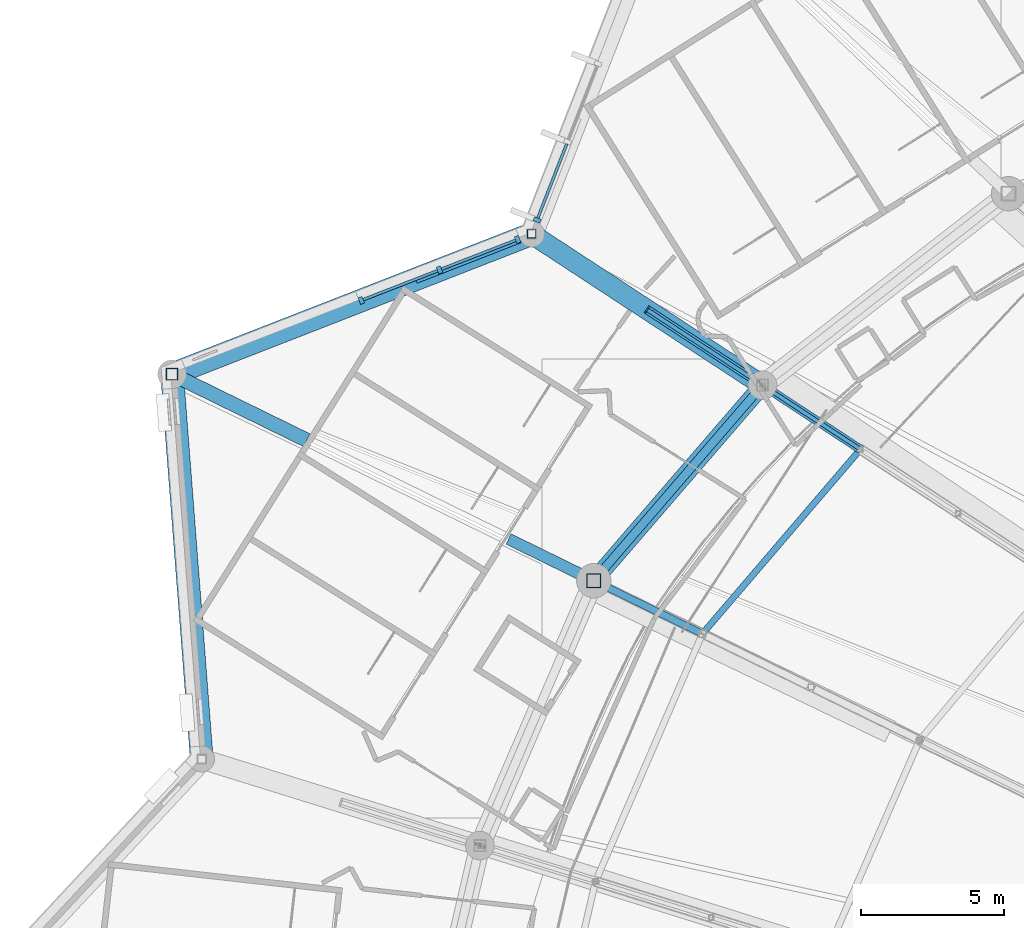
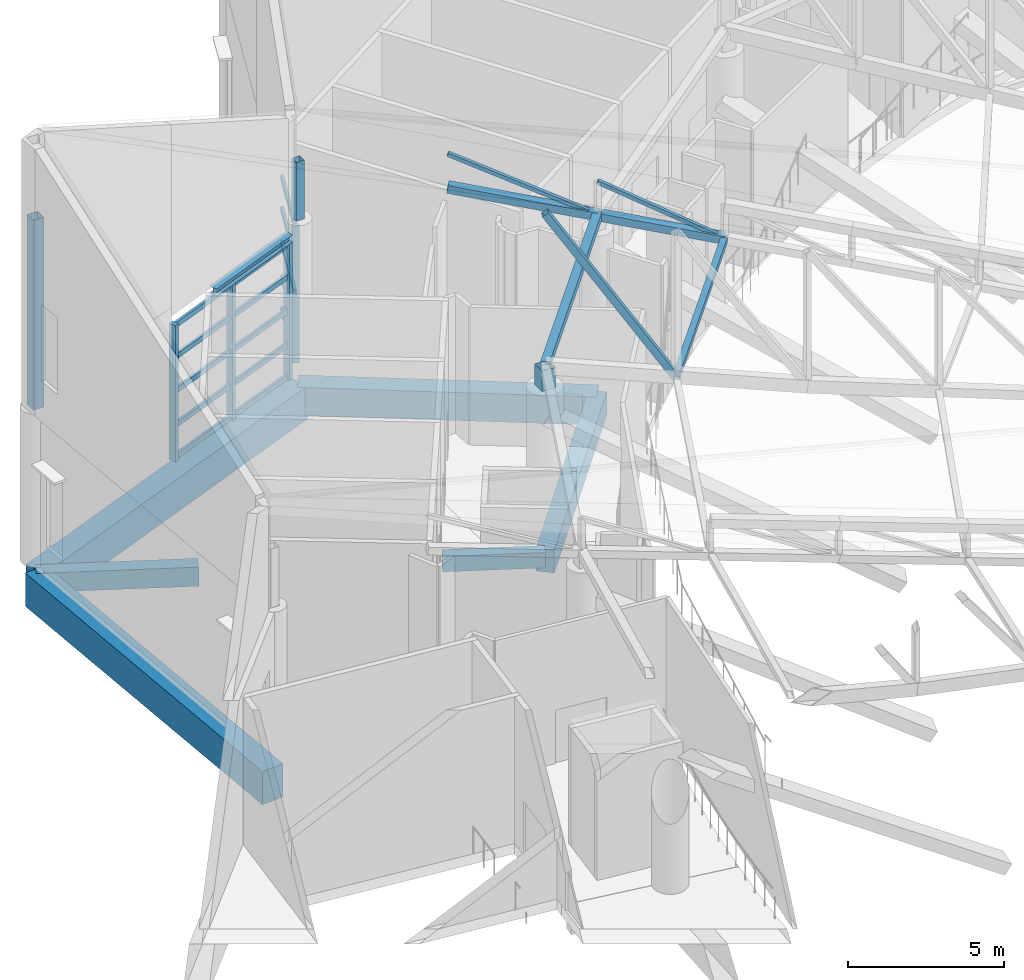
# One storey, part 130 of 344: 29 members, 7 beams, 2 elements without a shape of their own.
"""IFC4 building model written with IfcOpenShell, lengths in metres."""

import ifcopenshell
import ifcopenshell.guid

model = None  # the IFC model being written
_history = None  # IfcOwnerHistory: only IFC2X3 demands one
_inside = {}  # id of a spatial element -> (the spatial element, [elements in it])
_under = {}  # id of a project, library or spatial element -> (it, [spatial elements below it])
_declared = {}  # id of a project -> (the project, [libraries it declares])
_typed = {}  # id of a type object -> (the type object, [elements of that type])
_made_of = {}  # id of a material, layer set ... -> (it, [elements and type objects made of it])


def new_model(schema):
    """Start an empty IFC model of exactly this schema.

    Asked for "IFC4X3", IfcOpenShell would pick the latest addendum, in which some entities
    have other attributes; the version numbers below select the first issue.
    IFC2X3 requires an IfcOwnerHistory on every rooted entity: one is made here for all.
    """
    global model, _history
    if schema == "IFC4X3":
        model = ifcopenshell.file(schema_version=(4, 3, 0, 0))
    else:
        model = ifcopenshell.file(schema=schema)
    _inside.clear()
    _under.clear()
    _declared.clear()
    _typed.clear()
    _made_of.clear()
    _history = None
    if model.schema == "IFC2X3":
        org = make("IfcOrganization", Name="unknown")
        user = make(
            "IfcPersonAndOrganization",
            ThePerson=make("IfcPerson", FamilyName="unknown"),
            TheOrganization=org,
        )
        app = make(
            "IfcApplication",
            ApplicationDeveloper=org,
            Version="unknown",
            ApplicationFullName="unknown",
            ApplicationIdentifier="unknown",
        )
        _history = make(
            "IfcOwnerHistory",
            OwningUser=user,
            OwningApplication=app,
            ChangeAction="ADDED",
            CreationDate=0,
        )
    return model


def make(cls, **values):
    """One entity of the class cls with the attributes given. An attribute that is None is left unset."""
    return model.create_entity(
        cls, **{name: value for name, value in values.items() if value is not None}
    )


def rooted(cls, **values):
    """An entity with a GlobalId (a new one), such as an element, a storey or a relation."""
    return make(cls, GlobalId=ifcopenshell.guid.new(), OwnerHistory=_history, **values)


def si_unit(unit_type, name, prefix=None):
    """IfcSIUnit, for example si_unit("LENGTHUNIT", "METRE", prefix="MILLI")."""
    return make("IfcSIUnit", UnitType=unit_type, Prefix=prefix, Name=name)


def assignment(units):
    """IfcUnitAssignment: the units of a project."""
    return None if units is None else make("IfcUnitAssignment", Units=units)


def point(xyz):
    """IfcCartesianPoint."""
    return None if xyz is None else make("IfcCartesianPoint", Coordinates=xyz)


def direction(xyz):
    """IfcDirection."""
    return None if xyz is None else make("IfcDirection", DirectionRatios=xyz)


def frame(location, z_axis=None, x_axis=None):
    """IfcAxis2Placement3D, a coordinate frame: its origin and axes. An axis left out is left unset."""
    return make(
        "IfcAxis2Placement3D",
        Location=point(location),
        Axis=direction(z_axis),
        RefDirection=direction(x_axis),
    )


def frame_2d(location, x_axis=None):
    """IfcAxis2Placement2D, a coordinate frame in the plane: its origin and x axis."""
    return make(
        "IfcAxis2Placement2D", Location=point(location), RefDirection=direction(x_axis)
    )


def origin():
    """The frame at (0, 0, 0) with its axes left unset."""
    return frame((0.0, 0.0, 0.0))


def origin_2d():
    """The frame at (0, 0) in the plane with its x axis left unset."""
    return frame_2d((0.0, 0.0))


def place(relative_to, where):
    """IfcLocalPlacement: puts the frame where relative to a parent placement (None: the world)."""
    return make(
        "IfcLocalPlacement", PlacementRelTo=relative_to, RelativePlacement=where
    )


def context(
    kind, dimensions, precision=None, world=None, true_north=None, identifier=None
):
    """IfcGeometricRepresentationContext, for example the 3D "Model" context."""
    return make(
        "IfcGeometricRepresentationContext",
        ContextIdentifier=identifier,
        ContextType=kind,
        CoordinateSpaceDimension=dimensions,
        Precision=precision,
        WorldCoordinateSystem=world,
        TrueNorth=true_north,
    )


def subcontext(parent, identifier, kind, view, scale=None):
    """IfcGeometricRepresentationSubContext, for example "Body" below "Model"."""
    return make(
        "IfcGeometricRepresentationSubContext",
        ContextIdentifier=identifier,
        ContextType=kind,
        ParentContext=parent,
        TargetScale=scale,
        TargetView=view,
    )


def project(units=None, contexts=None):
    """IfcProject with its units and contexts."""
    return rooted(
        "IfcProject",
        Name="project",
        RepresentationContexts=contexts,
        UnitsInContext=assignment(units),
    )


def spatial(cls, under=None, at=None, **own):
    """A site, building, storey or space (cls), placed at a placement, below another one or the project."""
    s = rooted(cls, ObjectPlacement=at, **own)
    if under is not None:
        _under.setdefault(under.id(), (under, []))[1].append(s)
    return s


def profile(cls, at=None, kind="AREA", **sizes):
    """A parametric profile (cls). Its sizes go by their IFC names, for example OverallWidth=200.0."""
    return make(cls, ProfileType=kind, Position=at, **sizes)


def rectangle(**sizes):
    """IfcRectangleProfileDef."""
    return profile("IfcRectangleProfileDef", **sizes)


def hollow_rectangle(**sizes):
    """IfcRectangleHollowProfileDef."""
    return profile("IfcRectangleHollowProfileDef", **sizes)


def i_section(**sizes):
    """IfcIShapeProfileDef."""
    return profile("IfcIShapeProfileDef", **sizes)


def extrude(swept, where, along, depth):
    """IfcExtrudedAreaSolid: the profile swept, set in the frame where, extruded along a direction by depth."""
    return make(
        "IfcExtrudedAreaSolid",
        SweptArea=swept,
        Position=where,
        ExtrudedDirection=direction(along),
        Depth=depth,
    )


def shape(context_of_items, identifier, shape_type, items):
    """IfcShapeRepresentation: the items that make up one representation, for example the "Body"."""
    return make(
        "IfcShapeRepresentation",
        ContextOfItems=context_of_items,
        RepresentationIdentifier=identifier,
        RepresentationType=shape_type,
        Items=items,
    )


def material(Name=None, Category=None):
    """IfcMaterial."""
    return make("IfcMaterial", Name=Name, Category=Category)


def layer(
    of_material, thickness, ventilated=None, Name=None, Category=None, Priority=None
):
    """IfcMaterialLayer: one layer of a wall or slab, of a material (None: an air gap)."""
    return make(
        "IfcMaterialLayer",
        Material=of_material,
        LayerThickness=thickness,
        IsVentilated=ventilated,
        Name=Name,
        Category=Category,
        Priority=Priority,
    )


def layer_set(layers, Name=None):
    """IfcMaterialLayerSet."""
    return make("IfcMaterialLayerSet", MaterialLayers=layers, LayerSetName=Name)


def material_profile(
    of_material, cross_section, Name=None, Category=None, Priority=None
):
    """IfcMaterialProfile: a cross section and its material."""
    return make(
        "IfcMaterialProfile",
        Name=Name,
        Material=of_material,
        Profile=cross_section,
        Priority=Priority,
        Category=Category,
    )


def profile_set(profiles, Name=None, composite=None):
    """IfcMaterialProfileSet."""
    return make(
        "IfcMaterialProfileSet",
        Name=Name,
        MaterialProfiles=profiles,
        CompositeProfile=composite,
    )


def made_of(thing, what):
    """Note that an element or type object is made of a material, layer set ...; save() writes the relation."""
    if what is not None:
        _made_of.setdefault(what.id(), (what, []))[1].append(thing)
    return thing


def type_object(cls, material=None, **own):
    """A type object (cls), such as IfcWallType, which elements share."""
    return made_of(rooted(cls, **own), material)


def element(
    cls,
    number,
    at=None,
    inside=None,
    cuts=None,
    type_object=None,
    material=None,
    context=None,
    identifier="Body",
    shape_type=None,
    held_by="IfcProductDefinitionShape",
    body=None,
    shapes=None,
    **own,
):
    """One element of the class cls, such as IfcWall. Its Tag is "e" and its number.

    at: its placement. inside: the storey or other place that contains it. cuts: it is an
    opening in that element (IfcRelVoidsElement). A single representation is given by context,
    identifier, shape_type and body (its items); several are given by shapes. held_by: the class
    of the entity that holds the representations. save() writes the other relations.
    """
    e = rooted(cls, Tag="e%d" % number, ObjectPlacement=at, **own)
    if body is not None:
        shapes = [shape(context, identifier, shape_type, body)]
    if shapes is not None:
        e.Representation = make(held_by, Representations=shapes)
    if inside is not None:
        _inside.setdefault(inside.id(), (inside, []))[1].append(e)
    if cuts is not None:
        rooted(
            "IfcRelVoidsElement", RelatingBuildingElement=cuts, RelatedOpeningElement=e
        )
    if type_object is not None:
        _typed.setdefault(type_object.id(), (type_object, []))[1].append(e)
    return made_of(e, material)


def aggregate(whole, parts):
    """IfcRelAggregates: a whole, such as a stair, and the parts it consists of."""
    return rooted("IfcRelAggregates", RelatingObject=whole, RelatedObjects=parts)


def save(model, path):
    """Write the relations noted so far, then the file.

    IfcRelAggregates (storeys below a building ...), IfcRelContainedInSpatialStructure (elements
    in a storey), IfcRelDefinesByType, IfcRelAssociatesMaterial and IfcRelDeclares: one each for
    every whole, place, type object, material and project.
    """
    for whole, parts in _under.values():
        aggregate(whole, parts)
    for where, things in _inside.values():
        rooted(
            "IfcRelContainedInSpatialStructure",
            RelatedElements=things,
            RelatingStructure=where,
        )
    for kind, things in _typed.values():
        rooted("IfcRelDefinesByType", RelatedObjects=things, RelatingType=kind)
    for what, things in _made_of.values():
        rooted("IfcRelAssociatesMaterial", RelatedObjects=things, RelatingMaterial=what)
    for by, libraries in _declared.values():
        rooted("IfcRelDeclares", RelatingContext=by, RelatedDefinitions=libraries)
    model.write(path)


model = new_model("IFC4")

# Units and contexts
model_context = context("Model", 3, precision=1e-05, world=origin(), true_north=direction((0.0, 1.0)))
body_context = subcontext(model_context, "Body", "Model", "MODEL_VIEW")
ifc_project = project(units=[si_unit("LENGTHUNIT", "METRE"), si_unit("AREAUNIT", "SQUARE_METRE"), si_unit("VOLUMEUNIT", "CUBIC_METRE"), si_unit("PLANEANGLEUNIT", "RADIAN"), si_unit("MASSUNIT", "GRAM", prefix="KILO")], contexts=[model_context])

# Site, building, storey
site_placement = place(None, origin())
site = spatial("IfcSite", under=ifc_project, at=site_placement, CompositionType="ELEMENT")
building_placement = place(site_placement, origin())
building = spatial("IfcBuilding", under=site, at=building_placement, Name="Meseta Stadium", CompositionType="ELEMENT")
storey_placement = place(building_placement, frame((0.0, 0.0, 24.0)))
storey = spatial("IfcBuildingStorey", under=building, at=storey_placement, Name="L04", CompositionType="ELEMENT", Elevation=24.0)

# Beam
ifc_material_1 = material(Name="Steel S355", Category="steel")
ifc_material_profile_1 = material_profile(ifc_material_1, i_section(OverallWidth=0.300048828125, OverallDepth=0.300048828125, WebThickness=0.010986328125, FlangeThickness=0.01904296875, FilletRadius=0.027099609375, at=origin_2d()), Name="HEB 300")
ifc_profile_set_1 = profile_set([ifc_material_profile_1], Name="Steel S355")
beam_type_1 = type_object("IfcBeamType", Name="Atrium lintel beam HEB 300", PredefinedType="BEAM", material=ifc_profile_set_1)
beam_1_placement = place(storey_placement, frame((-80.784423828125, 84.2021484375, 5.5), z_axis=(-0.931662395399, -0.363325172539, 0.0), x_axis=(0.363325172539, -0.931662395399, 0.0)))
element("IfcBeam", 1, at=beam_1_placement, inside=storey, type_object=beam_type_1, Name="Atrium lintel beam F25", PredefinedType="BEAM", context=body_context, shape_type="SweptSolid", body=[
    extrude(i_section(OverallWidth=0.300048828125, OverallDepth=0.300048828125, WebThickness=0.010986328125, FlangeThickness=0.01904296875, FilletRadius=0.027099609375, at=origin_2d()), origin(), (0.0, 0.0, 1.0), 3.900146484375),
])

# Curtain wall, member
ifc_material_2 = material(Name="Steel S355", Category="steel")
ifc_layer = layer(ifc_material_2, 0.300048828125)
ifc_layer_set = layer_set([ifc_layer], Name="Valley atrium curtain wall")
curtain_wall_type = type_object("IfcCurtainWallType", Name="Valley atrium curtain wall", PredefinedType="NOTDEFINED", material=ifc_layer_set)
curtain_wall_1_placement = place(storey_placement, origin())
curtain_wall_1 = element("IfcCurtainWall", 2, at=curtain_wall_1_placement, inside=storey, type_object=curtain_wall_type, Name="Valley atrium glazing F24", PredefinedType="NOTDEFINED")
ifc_material_3 = material(Name="Steel S355", Category="steel")
ifc_material_profile_2 = material_profile(ifc_material_3, rectangle(XDim=0.25, YDim=0.14990234375, at=origin_2d()), Name="CW 250x150")
ifc_profile_set_2 = profile_set([ifc_material_profile_2], Name="Steel S355")
member_type_1 = type_object("IfcMemberType", Name="CW mullion bar 250x150", PredefinedType="MULLION", material=ifc_profile_set_2)
member_1_placement = place(storey_placement, frame((-80.1748046875, 84.854248046875, 0.0), z_axis=(0.0, 0.0, 1.0), x_axis=(0.931679912901, -0.363280249803, 0.0)))
member_1 = element("IfcMember", 3, at=member_1_placement, type_object=member_type_1, Name="CWA mullion 3", PredefinedType="MULLION", context=body_context, shape_type="SweptSolid", body=[
    extrude(rectangle(XDim=0.25, YDim=0.14990234375, at=origin_2d()), origin(), (0.0, 0.0, 1.0), 5.35009765625),
])

# Curtain wall, members
curtain_wall_2_placement = place(storey_placement, origin())
curtain_wall_2 = element("IfcCurtainWall", 4, at=curtain_wall_2_placement, inside=storey, type_object=curtain_wall_type, Name="Valley atrium glazing F25", PredefinedType="NOTDEFINED")
member_2_placement = place(storey_placement, frame((-80.854248046875, 84.1748046875, 0.0), z_axis=(0.0, 0.0, 1.0), x_axis=(0.363280249803, -0.931679912901, 0.0)))
member_2 = element("IfcMember", 5, at=member_2_placement, type_object=member_type_1, Name="CWA mullion 1", PredefinedType="MULLION", context=body_context, shape_type="SweptSolid", body=[
    extrude(rectangle(XDim=0.25, YDim=0.14990234375, at=origin_2d()), origin(), (0.0, 0.0, 1.0), 5.35009765625),
])
member_3_placement = place(storey_placement, frame((-83.579345703125, 83.1123046875, 0.0), z_axis=(0.0, 0.0, 1.0), x_axis=(0.363280249803, -0.931679912901, 0.0)))
member_3 = element("IfcMember", 6, at=member_3_placement, type_object=member_type_1, Name="CWA mullion 2", PredefinedType="MULLION", context=body_context, shape_type="SweptSolid", body=[
    extrude(rectangle(XDim=0.25, YDim=0.14990234375, at=origin_2d()), origin(), (0.0, 0.0, 1.0), 5.35009765625),
])
member_4_placement = place(storey_placement, frame((-86.304443359375, 82.049560546875, 0.0), z_axis=(0.0, 0.0, 1.0), x_axis=(0.363280249803, -0.931679912901, 0.0)))
member_4 = element("IfcMember", 7, at=member_4_placement, type_object=member_type_1, Name="CWA mullion 3", PredefinedType="MULLION", context=body_context, shape_type="SweptSolid", body=[
    extrude(rectangle(XDim=0.25, YDim=0.14990234375, at=origin_2d()), origin(), (0.0, 0.0, 1.0), 5.35009765625),
])

# Member
ifc_material_4 = material(Name="Steel S355", Category="steel")
ifc_material_profile_3 = material_profile(ifc_material_4, hollow_rectangle(XDim=0.10009765625, YDim=0.199951171875, WallThickness=0.008056640625, at=origin_2d()), Name="RHS 200x100x8")
ifc_profile_set_3 = profile_set([ifc_material_profile_3], Name="Steel S355")
member_type_2 = type_object("IfcMemberType", Name="CW transom RHS 200x100x8", PredefinedType="USERDEFINED", material=ifc_profile_set_3)
member_5_placement = place(storey_placement, frame((-79.139404296875, 87.509521484375, 0.10009765625), z_axis=(-0.363261275509, -0.931687311127, 0.0), x_axis=(0.931687311127, -0.363261275509, 0.0)))
member_5 = element("IfcMember", 8, at=member_5_placement, type_object=member_type_2, Name="CWA transom 2.1", ObjectType="TRANSOM", PredefinedType="USERDEFINED", context=body_context, shape_type="SweptSolid", body=[
    extrude(hollow_rectangle(XDim=0.10009765625, YDim=0.199951171875, WallThickness=0.008056640625, at=origin_2d()), origin(), (0.0, 0.0, 1.0), 2.77490234375),
])

member_6_placement = place(storey_placement, frame((-79.139404296875, 87.509521484375, 1.33740234375), z_axis=(-0.363261275509, -0.931687311127, 0.0), x_axis=(0.931687311127, -0.363261275509, 0.0)))
member_6 = element("IfcMember", 9, at=member_6_placement, type_object=member_type_2, Name="CWA transom 2.2", ObjectType="TRANSOM", PredefinedType="USERDEFINED", context=body_context, shape_type="SweptSolid", body=[
    extrude(hollow_rectangle(XDim=0.10009765625, YDim=0.199951171875, WallThickness=0.008056640625, at=origin_2d()), origin(), (0.0, 0.0, 1.0), 2.77490234375),
])

member_7_placement = place(storey_placement, frame((-79.139404296875, 87.509521484375, 2.675048828125), z_axis=(-0.363261275509, -0.931687311127, 0.0), x_axis=(0.931687311127, -0.363261275509, 0.0)))
member_7 = element("IfcMember", 10, at=member_7_placement, type_object=member_type_2, Name="CWA transom 2.3", ObjectType="TRANSOM", PredefinedType="USERDEFINED", context=body_context, shape_type="SweptSolid", body=[
    extrude(hollow_rectangle(XDim=0.10009765625, YDim=0.199951171875, WallThickness=0.008056640625, at=origin_2d()), origin(), (0.0, 0.0, 1.0), 2.77490234375),
])

member_8_placement = place(storey_placement, frame((-79.139404296875, 87.509521484375, 4.012451171875), z_axis=(-0.363261275509, -0.931687311127, 0.0), x_axis=(0.931687311127, -0.363261275509, 0.0)))
member_8 = element("IfcMember", 11, at=member_8_placement, type_object=member_type_2, Name="CWA transom 2.4", ObjectType="TRANSOM", PredefinedType="USERDEFINED", context=body_context, shape_type="SweptSolid", body=[
    extrude(hollow_rectangle(XDim=0.10009765625, YDim=0.199951171875, WallThickness=0.008056640625, at=origin_2d()), origin(), (0.0, 0.0, 1.0), 2.77490234375),
])

member_9_placement = place(storey_placement, frame((-79.139404296875, 87.509521484375, 5.25), z_axis=(-0.363261275509, -0.931687311127, 0.0), x_axis=(0.931687311127, -0.363261275509, 0.0)))
member_9 = element("IfcMember", 12, at=member_9_placement, type_object=member_type_2, Name="CWA transom 2.5", ObjectType="TRANSOM", PredefinedType="USERDEFINED", context=body_context, shape_type="SweptSolid", body=[
    extrude(hollow_rectangle(XDim=0.10009765625, YDim=0.199951171875, WallThickness=0.008056640625, at=origin_2d()), origin(), (0.0, 0.0, 1.0), 2.77490234375),
])

aggregate(curtain_wall_1, [member_1, member_5, member_6, member_7, member_8, member_9])

member_10_placement = place(storey_placement, frame((-80.924072265625, 84.1474609375, 0.10009765625), z_axis=(-0.931687311127, -0.363261275509, 0.0), x_axis=(0.363261275509, -0.931687311127, 0.0)))
member_10 = element("IfcMember", 13, at=member_10_placement, type_object=member_type_2, Name="CWA transom 1.1", ObjectType="TRANSOM", PredefinedType="USERDEFINED", context=body_context, shape_type="SweptSolid", body=[
    extrude(hollow_rectangle(XDim=0.10009765625, YDim=0.199951171875, WallThickness=0.008056640625, at=origin_2d()), origin(), (0.0, 0.0, 1.0), 2.77490234375),
])

member_11_placement = place(storey_placement, frame((-80.924072265625, 84.1474609375, 1.33740234375), z_axis=(-0.931687311127, -0.363261275509, 0.0), x_axis=(0.363261275509, -0.931687311127, 0.0)))
member_11 = element("IfcMember", 14, at=member_11_placement, type_object=member_type_2, Name="CWA transom 1.2", ObjectType="TRANSOM", PredefinedType="USERDEFINED", context=body_context, shape_type="SweptSolid", body=[
    extrude(hollow_rectangle(XDim=0.10009765625, YDim=0.199951171875, WallThickness=0.008056640625, at=origin_2d()), origin(), (0.0, 0.0, 1.0), 2.77490234375),
])

member_12_placement = place(storey_placement, frame((-80.924072265625, 84.1474609375, 2.675048828125), z_axis=(-0.931687311127, -0.363261275509, 0.0), x_axis=(0.363261275509, -0.931687311127, 0.0)))
member_12 = element("IfcMember", 15, at=member_12_placement, type_object=member_type_2, Name="CWA transom 1.3", ObjectType="TRANSOM", PredefinedType="USERDEFINED", context=body_context, shape_type="SweptSolid", body=[
    extrude(hollow_rectangle(XDim=0.10009765625, YDim=0.199951171875, WallThickness=0.008056640625, at=origin_2d()), origin(), (0.0, 0.0, 1.0), 2.77490234375),
])

member_13_placement = place(storey_placement, frame((-80.924072265625, 84.1474609375, 4.012451171875), z_axis=(-0.931687311127, -0.363261275509, 0.0), x_axis=(0.363261275509, -0.931687311127, 0.0)))
member_13 = element("IfcMember", 16, at=member_13_placement, type_object=member_type_2, Name="CWA transom 1.4", ObjectType="TRANSOM", PredefinedType="USERDEFINED", context=body_context, shape_type="SweptSolid", body=[
    extrude(hollow_rectangle(XDim=0.10009765625, YDim=0.199951171875, WallThickness=0.008056640625, at=origin_2d()), origin(), (0.0, 0.0, 1.0), 2.77490234375),
])

member_14_placement = place(storey_placement, frame((-80.924072265625, 84.1474609375, 5.25), z_axis=(-0.931687311127, -0.363261275509, 0.0), x_axis=(0.363261275509, -0.931687311127, 0.0)))
member_14 = element("IfcMember", 17, at=member_14_placement, type_object=member_type_2, Name="CWA transom 1.5", ObjectType="TRANSOM", PredefinedType="USERDEFINED", context=body_context, shape_type="SweptSolid", body=[
    extrude(hollow_rectangle(XDim=0.10009765625, YDim=0.199951171875, WallThickness=0.008056640625, at=origin_2d()), origin(), (0.0, 0.0, 1.0), 2.77490234375),
])

member_15_placement = place(storey_placement, frame((-83.649169921875, 83.0849609375, 0.10009765625), z_axis=(-0.931687311127, -0.363261275509, 0.0), x_axis=(0.363261275509, -0.931687311127, 0.0)))
member_15 = element("IfcMember", 18, at=member_15_placement, type_object=member_type_2, Name="CWA transom 2.1", ObjectType="TRANSOM", PredefinedType="USERDEFINED", context=body_context, shape_type="SweptSolid", body=[
    extrude(hollow_rectangle(XDim=0.10009765625, YDim=0.199951171875, WallThickness=0.008056640625, at=origin_2d()), origin(), (0.0, 0.0, 1.0), 2.77490234375),
])

member_16_placement = place(storey_placement, frame((-83.649169921875, 83.0849609375, 1.33740234375), z_axis=(-0.931687311127, -0.363261275509, 0.0), x_axis=(0.363261275509, -0.931687311127, 0.0)))
member_16 = element("IfcMember", 19, at=member_16_placement, type_object=member_type_2, Name="CWA transom 2.2", ObjectType="TRANSOM", PredefinedType="USERDEFINED", context=body_context, shape_type="SweptSolid", body=[
    extrude(hollow_rectangle(XDim=0.10009765625, YDim=0.199951171875, WallThickness=0.008056640625, at=origin_2d()), origin(), (0.0, 0.0, 1.0), 2.77490234375),
])

member_17_placement = place(storey_placement, frame((-83.649169921875, 83.0849609375, 2.675048828125), z_axis=(-0.931687311127, -0.363261275509, 0.0), x_axis=(0.363261275509, -0.931687311127, 0.0)))
member_17 = element("IfcMember", 20, at=member_17_placement, type_object=member_type_2, Name="CWA transom 2.3", ObjectType="TRANSOM", PredefinedType="USERDEFINED", context=body_context, shape_type="SweptSolid", body=[
    extrude(hollow_rectangle(XDim=0.10009765625, YDim=0.199951171875, WallThickness=0.008056640625, at=origin_2d()), origin(), (0.0, 0.0, 1.0), 2.77490234375),
])

member_18_placement = place(storey_placement, frame((-83.649169921875, 83.0849609375, 4.012451171875), z_axis=(-0.931687311127, -0.363261275509, 0.0), x_axis=(0.363261275509, -0.931687311127, 0.0)))
member_18 = element("IfcMember", 21, at=member_18_placement, type_object=member_type_2, Name="CWA transom 2.4", ObjectType="TRANSOM", PredefinedType="USERDEFINED", context=body_context, shape_type="SweptSolid", body=[
    extrude(hollow_rectangle(XDim=0.10009765625, YDim=0.199951171875, WallThickness=0.008056640625, at=origin_2d()), origin(), (0.0, 0.0, 1.0), 2.77490234375),
])

member_19_placement = place(storey_placement, frame((-83.649169921875, 83.0849609375, 5.25), z_axis=(-0.931687311127, -0.363261275509, 0.0), x_axis=(0.363261275509, -0.931687311127, 0.0)))
member_19 = element("IfcMember", 22, at=member_19_placement, type_object=member_type_2, Name="CWA transom 2.5", ObjectType="TRANSOM", PredefinedType="USERDEFINED", context=body_context, shape_type="SweptSolid", body=[
    extrude(hollow_rectangle(XDim=0.10009765625, YDim=0.199951171875, WallThickness=0.008056640625, at=origin_2d()), origin(), (0.0, 0.0, 1.0), 2.77490234375),
])

aggregate(curtain_wall_2, [member_2, member_3, member_4, member_10, member_11, member_12, member_13, member_14, member_15, member_16, member_17, member_18, member_19])

# Beams
ifc_material_5 = material(Name="Concrete C40/50", Category="concrete")
ifc_material_profile_4 = material_profile(ifc_material_5, rectangle(XDim=0.39990234375, YDim=0.60009765625, at=origin_2d()), Name="RC 400x600")
ifc_profile_set_4 = profile_set([ifc_material_profile_4], Name="Concrete C40/50")
beam_type_2 = type_object("IfcBeamType", Name="RC beam 400x600", PredefinedType="BEAM", material=ifc_profile_set_4)
beam_2_placement = place(storey_placement, frame((-78.197998046875, 72.27197265625, -0.699951171875), z_axis=(-0.898132346212, 0.439725242267, 0.0), x_axis=(-0.439725242267, -0.898132346212, 0.0)))
element("IfcBeam", 23, at=beam_2_placement, inside=storey, type_object=beam_type_2, Name="L04 radial beam frame 26 line P to R", PredefinedType="BEAM", context=body_context, shape_type="SweptSolid", body=[
    extrude(rectangle(XDim=0.39990234375, YDim=0.60009765625, at=origin_2d()), origin(), (0.0, 0.0, 1.0), 3.306396484375),
])
ifc_material_6 = material(Name="Concrete C40/50", Category="concrete")
ifc_material_profile_5 = material_profile(ifc_material_6, rectangle(XDim=0.5, YDim=0.75, at=origin_2d()), Name="RC 500x750")
ifc_profile_set_5 = profile_set([ifc_material_profile_5], Name="Concrete C40/50")
beam_type_3 = type_object("IfcBeamType", Name="RC beam 500x750", PredefinedType="BEAM", material=ifc_profile_set_5)
beam_3_placement = place(storey_placement, frame((-88.212158203125, 77.175048828125, -0.77490234375), z_axis=(-0.898112763243, 0.439765237939, 0.0), x_axis=(-0.439765237939, -0.898112763243, 0.0)))
element("IfcBeam", 24, at=beam_3_placement, inside=storey, type_object=beam_type_3, Name="L04 radial beam frame 26 line P to R", PredefinedType="BEAM", context=body_context, shape_type="SweptSolid", body=[
    extrude(rectangle(XDim=0.5, YDim=0.75, at=origin_2d()), origin(), (0.0, 0.0, 1.0), 5.22900390625),
])
ifc_material_7 = material(Name="Concrete C40/50", Category="concrete")
ifc_material_profile_6 = material_profile(ifc_material_7, rectangle(XDim=0.60009765625, YDim=0.89990234375, at=origin_2d()), Name="RC 600x900")
ifc_profile_set_6 = profile_set([ifc_material_profile_6], Name="Concrete C40/50")
beam_type_4 = type_object("IfcBeamType", Name="RC beam 600x900", PredefinedType="BEAM", material=ifc_profile_set_6)
beam_4_placement = place(storey_placement, frame((-72.31201171875, 79.091064453125, -0.85009765625), z_axis=(-0.653414508663, -0.757000316954, 0.0), x_axis=(0.757000316954, -0.653414508663, 0.0)))
element("IfcBeam", 25, at=beam_4_placement, inside=storey, type_object=beam_type_4, Name="L04 ring beam frame 25 line P", PredefinedType="BEAM", context=body_context, shape_type="SweptSolid", body=[
    extrude(rectangle(XDim=0.60009765625, YDim=0.89990234375, at=origin_2d()), origin(), (0.0, 0.0, 1.0), 9.008056640625),
])
ifc_material_8 = material(Name="Concrete C40/50", Category="concrete")
ifc_material_profile_7 = material_profile(ifc_material_8, rectangle(XDim=0.699951171875, YDim=1.10009765625, at=origin_2d()), Name="RC 700x1100")
ifc_profile_set_7 = profile_set([ifc_material_profile_7], Name="Concrete C40/50")
beam_type_5 = type_object("IfcBeamType", Name="RC beam 700x1100", PredefinedType="BEAM", material=ifc_profile_set_7)
beam_5_placement = place(storey_placement, frame((-72.31201171875, 79.091064453125, -0.949951171875), z_axis=(-0.836556122728, 0.547881240349, 0.0), x_axis=(-0.547881240349, -0.836556122728, 0.0)))
element("IfcBeam", 26, at=beam_5_placement, inside=storey, type_object=beam_type_5, Name="L04 radial beam frame 25 line P to R", PredefinedType="BEAM", context=body_context, shape_type="SweptSolid", body=[
    extrude(rectangle(XDim=0.699951171875, YDim=1.10009765625, at=origin_2d()), origin(), (0.0, 0.0, 1.0), 9.626953125),
])
ifc_material_9 = material(Name="Concrete C40/50", Category="concrete")
ifc_material_profile_8 = material_profile(ifc_material_9, rectangle(XDim=0.800048828125, YDim=1.300048828125, at=origin_2d()), Name="RC 800x1300")
ifc_profile_set_8 = profile_set([ifc_material_profile_8], Name="Concrete C40/50")
beam_type_6 = type_object("IfcBeamType", Name="RC beam 800x1300", PredefinedType="BEAM", material=ifc_profile_set_8)
for number, where, z_axis, x_axis, name in (
    (27, (-80.365478515625, 84.365478515625, -1.050048828125), (-0.93167689837, -0.363287980868, 0.0), (0.363287980868, -0.93167689837, 0.0), "L04 ring beam frame 25 line R"),
    (28, (-92.908447265625, 79.474609375, -1.050048828125), (0.076925307894, -0.997036858399, 0.0), (0.997036858399, 0.076925307894, 0.0), "L04 ring beam frame 26 line R"),
):
    element("IfcBeam", number, at=place(storey_placement, frame(where, z_axis=z_axis, x_axis=x_axis)), inside=storey, type_object=beam_type_6, Name=name, PredefinedType="BEAM", context=body_context, shape_type="SweptSolid", body=[
        extrude(rectangle(XDim=0.800048828125, YDim=1.300048828125, at=origin_2d()), origin(), (0.0, 0.0, 1.0), 13.462890625),
    ])

# Members
ifc_material_10 = material(Name="Steel S355", Category="steel")
ifc_material_profile_9 = material_profile(ifc_material_10, hollow_rectangle(XDim=0.139892578125, YDim=0.139892578125, WallThickness=0.0048828125, at=origin_2d()), Name="SHS 140x140x5")
ifc_profile_set_9 = profile_set([ifc_material_profile_9], Name="Steel S355")
member_type_3 = type_object("IfcMemberType", Name="SHS 140x140x5 diagonal", PredefinedType="BRACE", material=ifc_profile_set_9)
member_20_placement = place(storey_placement, frame((-68.897216796875, 76.854736328125, 5.7421875), z_axis=(-0.746917635794, 0.489151751188, 0.450382736847), x_axis=(-0.547863186454, -0.836567946391, 0.0)))
element("IfcMember", 29, at=member_20_placement, inside=storey, type_object=member_type_3, Name="ROOF TRUSS RT-25 diagonal", PredefinedType="BRACE", context=body_context, shape_type="SweptSolid", body=[
    extrude(hollow_rectangle(XDim=0.139892578125, YDim=0.139892578125, WallThickness=0.0048828125, at=origin_2d()), origin(), (0.0, 0.0, 1.0), 4.57177734375),
])
member_21_placement = place(storey_placement, frame((-72.31201171875, 79.091064453125, 6.501220703125), z_axis=(-0.761123077873, 0.498493390359, 0.414965058888), x_axis=(-0.547892863959, -0.836548510024, 0.0)))
element("IfcMember", 30, at=member_21_placement, inside=storey, type_object=member_type_3, Name="ROOF TRUSS RT-25 diagonal", PredefinedType="BRACE", context=body_context, shape_type="SweptSolid", body=[
    extrude(hollow_rectangle(XDim=0.139892578125, YDim=0.139892578125, WallThickness=0.0048828125, at=origin_2d()), origin(), (0.0, 0.0, 1.0), 5.290283203125),
])
ifc_material_11 = material(Name="Steel S355", Category="steel")
ifc_material_profile_10 = material_profile(ifc_material_11, hollow_rectangle(XDim=0.219970703125, YDim=0.219970703125, WallThickness=0.008056640625, at=origin_2d()), Name="SHS 220x220x8")
ifc_profile_set_10 = profile_set([ifc_material_profile_10], Name="Steel S355")
member_type_4 = type_object("IfcMemberType", Name="SHS 220x220x8 strut", PredefinedType="STRUT", material=ifc_profile_set_10)
member_22_placement = place(storey_placement, frame((-68.897216796875, 76.854736328125, 5.7421875), z_axis=(-0.649724184838, -0.758658942545, 0.047907124031), x_axis=(0.759531040228, -0.650471059256, 0.0)))
element("IfcMember", 31, at=member_22_placement, inside=storey, type_object=member_type_4, Name="ROOF TRUSS STRUT RT-25/26", PredefinedType="STRUT", context=body_context, shape_type="SweptSolid", body=[
    extrude(hollow_rectangle(XDim=0.219970703125, YDim=0.219970703125, WallThickness=0.008056640625, at=origin_2d()), origin(), (0.0, 0.0, 1.0), 8.485107421875),
])
ifc_material_12 = material(Name="Steel S355", Category="steel")
ifc_material_profile_11 = material_profile(ifc_material_12, hollow_rectangle(XDim=0.25, YDim=0.25, WallThickness=0.010009765625, at=origin_2d()), Name="SHS 250x250x10")
ifc_profile_set_11 = profile_set([ifc_material_profile_11], Name="Steel S355")
member_type_5 = type_object("IfcMemberType", Name="SHS 250x250x10 diagonal", PredefinedType="BRACE", material=ifc_profile_set_11)
member_23_placement = place(storey_placement, frame((-74.41015625, 70.41748046875, 6.148681640625), z_axis=(-0.482679399338, 0.236315354004, 0.84331230924), x_axis=(-0.439718804076, -0.89813549832, 0.0)))
element("IfcMember", 32, at=member_23_placement, inside=storey, type_object=member_type_5, Name="ROOF TRUSS RT-26 diagonal", PredefinedType="BRACE", context=body_context, shape_type="SweptSolid", body=[
    extrude(hollow_rectangle(XDim=0.25, YDim=0.25, WallThickness=0.010009765625, at=origin_2d()), origin(), (0.0, 0.0, 1.0), 7.847412109375),
])
ifc_material_13 = material(Name="Steel S355", Category="steel")
ifc_material_profile_12 = material_profile(ifc_material_13, hollow_rectangle(XDim=0.300048828125, YDim=0.300048828125, WallThickness=0.010009765625, at=origin_2d()), Name="SHS 300x300x10")
ifc_profile_set_12 = profile_set([ifc_material_profile_12], Name="Steel S355")
member_type_6 = type_object("IfcMemberType", Name="SHS 300x300x10 bottom chord", PredefinedType="CHORD", material=ifc_profile_set_12)
member_24_placement = place(storey_placement, frame((-68.897216796875, 76.854736328125, 5.7421875), z_axis=(-0.822469281869, 0.538630058048, 0.182816686733), x_axis=(-0.547863186454, -0.836567946391, 0.0)))
element("IfcMember", 33, at=member_24_placement, inside=storey, type_object=member_type_6, Name="ROOF TRUSS RT-25 bottom chord", PredefinedType="CHORD", context=body_context, shape_type="SweptSolid", body=[
    extrude(hollow_rectangle(XDim=0.300048828125, YDim=0.300048828125, WallThickness=0.010009765625, at=origin_2d()), origin(), (0.0, 0.0, 1.0), 4.15185546875),
])
member_25_placement = place(storey_placement, frame((-72.31201171875, 79.091064453125, 6.501220703125), z_axis=(-0.822443524895, 0.538654881217, 0.182859419499), x_axis=(-0.547892863959, -0.836548510024, 0.0)))
element("IfcMember", 34, at=member_25_placement, inside=storey, type_object=member_type_6, Name="ROOF TRUSS RT-25 bottom chord", PredefinedType="CHORD", context=body_context, shape_type="SweptSolid", body=[
    extrude(hollow_rectangle(XDim=0.300048828125, YDim=0.300048828125, WallThickness=0.010009765625, at=origin_2d()), origin(), (0.0, 0.0, 1.0), 4.89599609375),
])
ifc_material_14 = material(Name="Steel S355", Category="steel")
ifc_material_profile_13 = material_profile(ifc_material_14, hollow_rectangle(XDim=0.300048828125, YDim=0.300048828125, WallThickness=0.010009765625, at=origin_2d()), Name="SHS 300x300x10")
ifc_profile_set_13 = profile_set([ifc_material_profile_13], Name="Steel S355")
member_type_7 = type_object("IfcMemberType", Name="SHS 300x300x10 pivot strut", PredefinedType="STRUT", material=ifc_profile_set_13)
member_26_placement = place(storey_placement, frame((-72.31201171875, 79.091064453125, 6.501220703125), z_axis=(-0.653089601062, -0.756623901749, 0.031531639456), x_axis=(0.757000316954, -0.653414508663, 0.0)))
element("IfcMember", 35, at=member_26_placement, inside=storey, type_object=member_type_7, Name="ROOF PIVOT STRUT RT-25/26", PredefinedType="STRUT", context=body_context, shape_type="SweptSolid", body=[
    extrude(hollow_rectangle(XDim=0.300048828125, YDim=0.300048828125, WallThickness=0.010009765625, at=origin_2d()), origin(), (0.0, 0.0, 1.0), 9.012451171875),
])
ifc_material_15 = material(Name="Steel S355", Category="steel")
ifc_material_profile_14 = material_profile(ifc_material_15, hollow_rectangle(XDim=0.300048828125, YDim=0.300048828125, WallThickness=0.010009765625, at=origin_2d()), Name="SHS 300x300x10")
ifc_profile_set_14 = profile_set([ifc_material_profile_14], Name="Steel S355")
member_type_8 = type_object("IfcMemberType", Name="SHS 300x300x10 rim post", PredefinedType="POST", material=ifc_profile_set_14)
member_27_placement = place(storey_placement, frame((-80.365478515625, 84.365478515625, 6.0), z_axis=(0.0, 0.0, 1.0), x_axis=(1.0, 0.0, 0.0)))
element("IfcMember", 36, at=member_27_placement, inside=storey, type_object=member_type_8, Name="ROOF RIM POST RT-25", PredefinedType="POST", context=body_context, shape_type="SweptSolid", body=[
    extrude(hollow_rectangle(XDim=0.300048828125, YDim=0.300048828125, WallThickness=0.010009765625, at=origin_2d()), origin(), (0.0, 0.0, 1.0), 2.291748046875),
])
ifc_material_16 = material(Name="Steel S355", Category="steel")
ifc_material_profile_15 = material_profile(ifc_material_16, hollow_rectangle(XDim=0.39990234375, YDim=0.39990234375, WallThickness=0.01416015625, at=origin_2d()), Name="SHS 400x400x14.2")
ifc_profile_set_15 = profile_set([ifc_material_profile_15], Name="Steel S355")
member_type_9 = type_object("IfcMemberType", Name="SHS 400x400x14.2 rim post", PredefinedType="POST", material=ifc_profile_set_15)
member_28_placement = place(storey_placement, frame((-92.908447265625, 79.474609375, 6.0), z_axis=(0.0, 0.0, 1.0), x_axis=(1.0, 0.0, 0.0)))
element("IfcMember", 37, at=member_28_placement, inside=storey, type_object=member_type_9, Name="ROOF RIM POST RT-26", PredefinedType="POST", context=body_context, shape_type="SweptSolid", body=[
    extrude(hollow_rectangle(XDim=0.39990234375, YDim=0.39990234375, WallThickness=0.01416015625, at=origin_2d()), origin(), (0.0, 0.0, 1.0), 7.4296875),
])
ifc_material_17 = material(Name="Steel S355", Category="steel")
ifc_material_profile_16 = material_profile(ifc_material_17, hollow_rectangle(XDim=0.5, YDim=0.5, WallThickness=0.01611328125, at=origin_2d()), Name="SHS 500x500x16")
ifc_profile_set_16 = profile_set([ifc_material_profile_16], Name="Steel S355")
member_type_10 = type_object("IfcMemberType", Name="SHS 500x500x16 pedestal", PredefinedType="POST", material=ifc_profile_set_16)
member_29_placement = place(storey_placement, frame((-78.197998046875, 72.27197265625, 6.0), z_axis=(0.0, 0.0, 1.0), x_axis=(1.0, 0.0, 0.0)))
element("IfcMember", 38, at=member_29_placement, inside=storey, type_object=member_type_10, Name="ROOF TRUSS RT-26 pedestal", PredefinedType="POST", context=body_context, shape_type="SweptSolid", body=[
    extrude(hollow_rectangle(XDim=0.5, YDim=0.5, WallThickness=0.01611328125, at=origin_2d()), origin(), (0.0, 0.0, 1.0), 0.785400390625),
])

save(model, "model.ifc")
